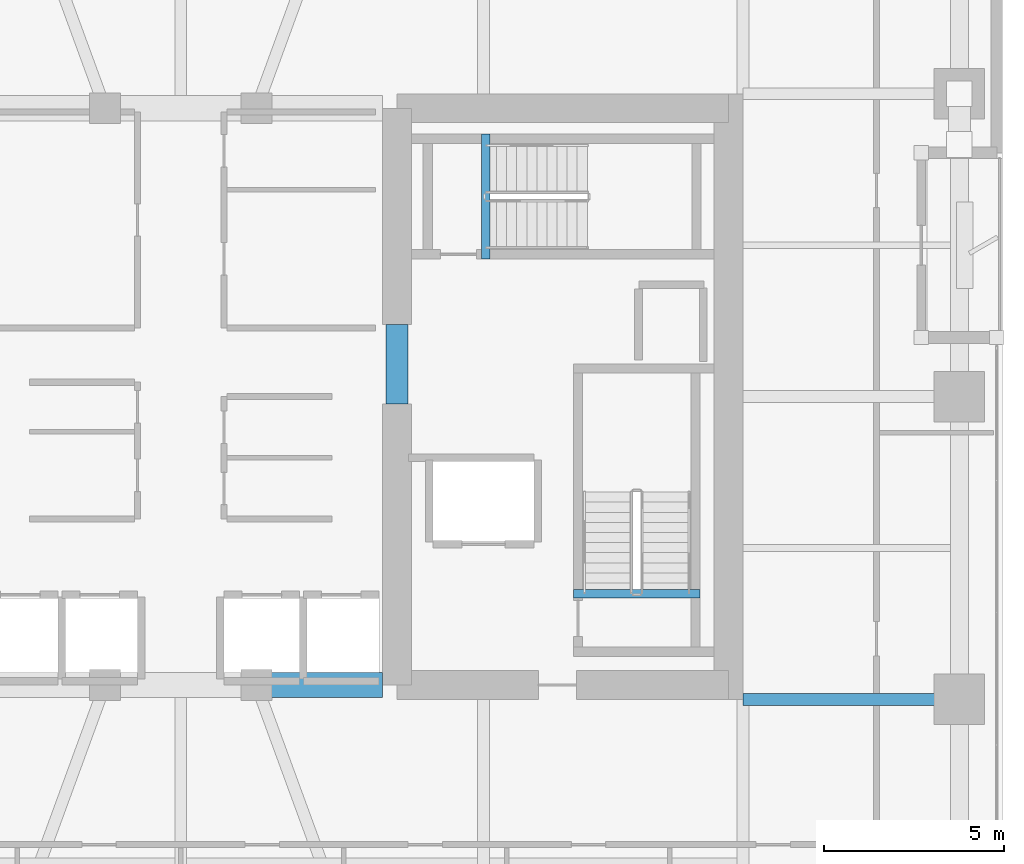
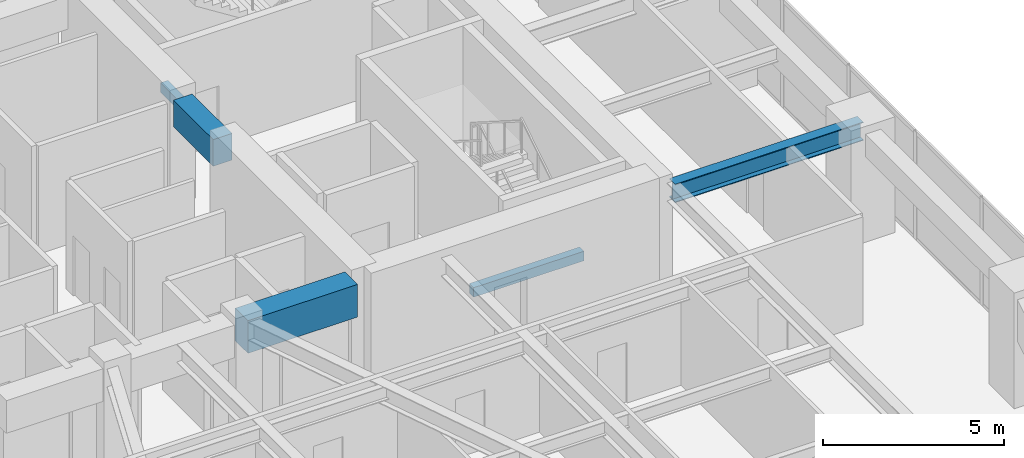
# One storey, part 5 of 24: 5 beams.
"""IFC4 building model written with IfcOpenShell, lengths in metres."""

from ifc_helpers import new_model, si_unit, direction, frame, origin, origin_2d, place, context, subcontext, project, spatial, rectangle, i_section, extrude, material, material_profile, profile_set, type_object, element, save


model = new_model("IFC4")

# Units and contexts
model_context = context("Model", 3, precision=1e-05, world=origin(), true_north=direction((0.0, 1.0)))
body_context = subcontext(model_context, "Body", "Model", "MODEL_VIEW")
ifc_project = project(units=[si_unit("LENGTHUNIT", "METRE"), si_unit("AREAUNIT", "SQUARE_METRE"), si_unit("VOLUMEUNIT", "CUBIC_METRE"), si_unit("PLANEANGLEUNIT", "RADIAN"), si_unit("MASSUNIT", "GRAM", prefix="KILO")], contexts=[model_context])

# Site, building, storey
site_placement = place(None, origin())
site = spatial("IfcSite", under=ifc_project, at=site_placement, CompositionType="ELEMENT")
building_placement = place(site_placement, origin())
building = spatial("IfcBuilding", under=site, at=building_placement, Name="Kiyonajd Concourse Tower", CompositionType="ELEMENT")
storey_placement = place(building_placement, frame((0.0, 0.0, 109.199951171875)))
storey = spatial("IfcBuildingStorey", under=building, at=storey_placement, Name="L28", CompositionType="ELEMENT", Elevation=109.199951171875)

# Beams
ifc_material_1 = material(Name="Concrete C70/85", Category="concrete")
ifc_material_profile_1 = material_profile(ifc_material_1, rectangle(XDim=0.699951171875, YDim=1.10009765625, at=origin_2d()), Name="RCBM-700x1100")
ifc_profile_set_1 = profile_set([ifc_material_profile_1], Name="Concrete C70/85")
beam_type_1 = type_object("IfcBeamType", Name="BM-COUP-1100", PredefinedType="LINTEL", material=ifc_profile_set_1)
beam_1_placement = place(storey_placement, frame((50.10009765625, 28.0, 3.090087890625), z_axis=(1.0, 0.0, 0.0), x_axis=(0.0, 1.0, 0.0)))
element("IfcBeam", 1, at=beam_1_placement, inside=storey, type_object=beam_type_1, Name="L28 Core Coupling Beam S3", PredefinedType="LINTEL", context=body_context, shape_type="SweptSolid", body=[
    extrude(rectangle(XDim=0.699951171875, YDim=1.10009765625, at=origin_2d()), origin(), (0.0, 0.0, 1.0), 3.5),
])
ifc_material_2 = material(Name="Concrete C60/75", Category="concrete")
ifc_material_profile_2 = material_profile(ifc_material_2, rectangle(XDim=0.60009765625, YDim=0.89990234375, at=origin_2d()), Name="RCBM-600x900")
ifc_profile_set_2 = profile_set([ifc_material_profile_2], Name="Concrete C60/75")
beam_type_2 = type_object("IfcBeamType", Name="BM-COUP-900", PredefinedType="LINTEL", material=ifc_profile_set_2)
beam_2_placement = place(storey_placement, frame((54.0, 35.800048828125, 3.090087890625), z_axis=(0.0, 1.0, 0.0), x_axis=(-1.0, 0.0, 0.0)))
element("IfcBeam", 2, at=beam_2_placement, inside=storey, type_object=beam_type_2, Name="L28 East Core Throat Coupling Lintel", PredefinedType="LINTEL", context=body_context, shape_type="SweptSolid", body=[
    extrude(rectangle(XDim=0.60009765625, YDim=0.89990234375, at=origin_2d()), origin(), (0.0, 0.0, 1.0), 2.199951171875),
])
ifc_material_3 = material(Name="Concrete C50/60", Category="concrete")
ifc_material_profile_3 = material_profile(ifc_material_3, rectangle(XDim=0.239990234375, YDim=0.320068359375, at=origin_2d()), Name="RCBM-240x320")
ifc_profile_set_3 = profile_set([ifc_material_profile_3], Name="Concrete C50/60")
beam_type_3 = type_object("IfcBeamType", Name="BM-LNT-250", PredefinedType="LINTEL", material=ifc_profile_set_3)
beam_3_placement = place(storey_placement, frame((58.889892578125, 30.530029296875, -0.159912109375), z_axis=(1.0, 0.0, 0.0), x_axis=(0.0, 1.0, 0.0)))
element("IfcBeam", 3, at=beam_3_placement, inside=storey, type_object=beam_type_3, Name="L28 Stair ST2 Threshold Support Beam", PredefinedType="LINTEL", context=body_context, shape_type="SweptSolid", body=[
    extrude(rectangle(XDim=0.239990234375, YDim=0.320068359375, at=origin_2d()), origin(), (0.0, 0.0, 1.0), 3.52001953125),
])
beam_4_placement = place(storey_placement, frame((56.4599609375, 39.820068359375, -0.159912109375), z_axis=(0.0, 1.0, 0.0), x_axis=(-1.0, 0.0, 0.0)))
element("IfcBeam", 4, at=beam_4_placement, inside=storey, type_object=beam_type_3, Name="L28 Stair ST3 Threshold Support Beam", PredefinedType="LINTEL", context=body_context, shape_type="SweptSolid", body=[
    extrude(rectangle(XDim=0.239990234375, YDim=0.320068359375, at=origin_2d()), origin(), (0.0, 0.0, 1.0), 3.4599609375),
])
ifc_material_4 = material(Name="Steel ASTM A992 Grade 50", Category="steel")
ifc_material_profile_4 = material_profile(ifc_material_4, i_section(OverallWidth=0.326904296875, OverallDepth=0.6220703125, WebThickness=0.015380859375, FlangeThickness=0.0244140625, at=origin_2d()), Name="W610X195")
ifc_profile_set_4 = profile_set([ifc_material_profile_4], Name="Steel ASTM A992 Grade 50")
beam_type_4 = type_object("IfcBeamType", Name="BM-TWR-610A", PredefinedType="BEAM", material=ifc_profile_set_4)
beam_5_placement = place(storey_placement, frame((63.60009765625, 27.60009765625, 3.3291015625), z_axis=(1.0, 0.0, 0.0), x_axis=(0.0, 1.0, 0.0)))
element("IfcBeam", 5, at=beam_5_placement, inside=storey, type_object=beam_type_4, Name="L28 East Lease Girder", PredefinedType="BEAM", context=body_context, shape_type="SweptSolid", body=[
    extrude(i_section(OverallWidth=0.326904296875, OverallDepth=0.6220703125, WebThickness=0.015380859375, FlangeThickness=0.0244140625, at=origin_2d()), origin(), (0.0, 0.0, 1.0), 6.0),
])

save(model, "model.ifc")
